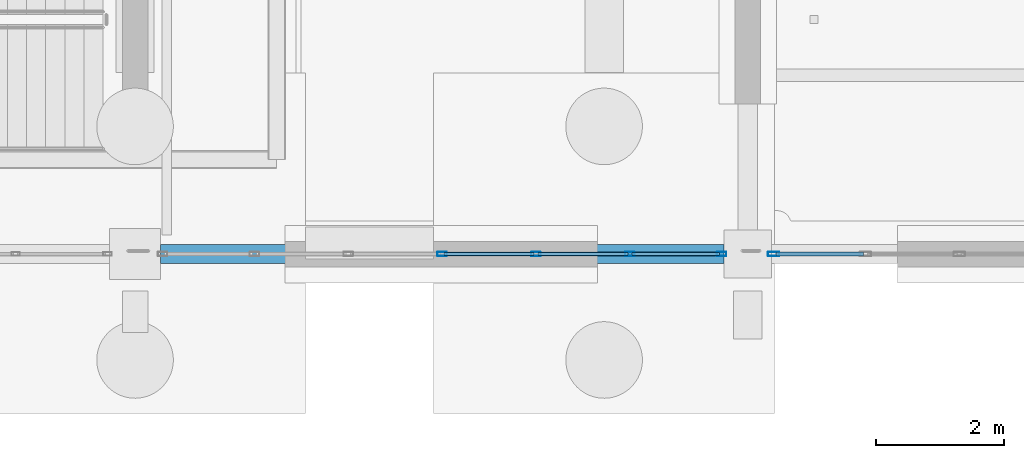
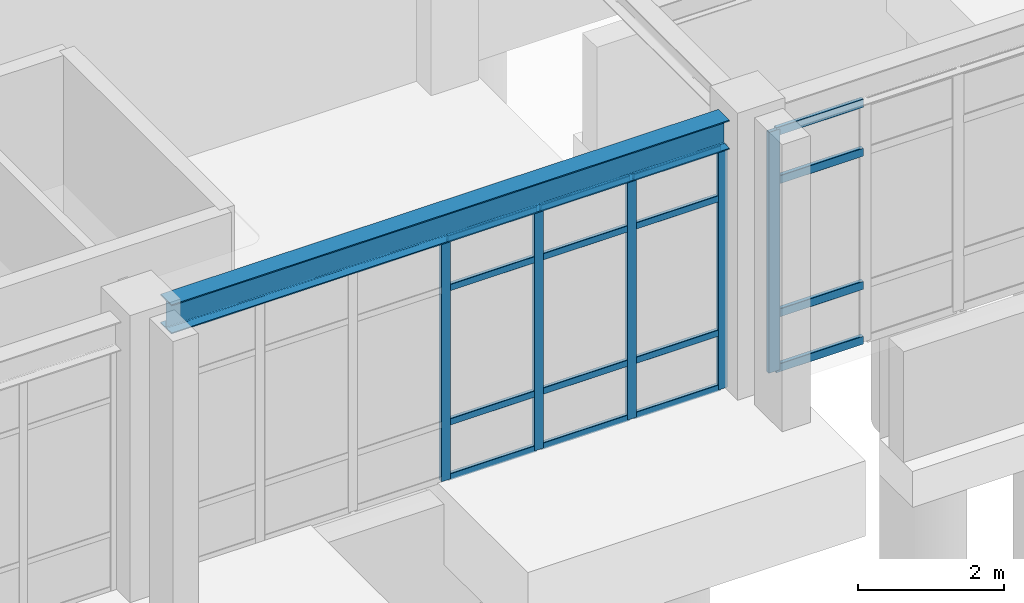
# One storey, part 45 of 111: 21 members, 1 beam, 2 elements without a shape of their own.
"""IFC4 building model written with IfcOpenShell, lengths in metres."""

import ifcopenshell
import ifcopenshell.guid

model = None  # the IFC model being written
_history = None  # IfcOwnerHistory: only IFC2X3 demands one
_inside = {}  # id of a spatial element -> (the spatial element, [elements in it])
_under = {}  # id of a project, library or spatial element -> (it, [spatial elements below it])
_declared = {}  # id of a project -> (the project, [libraries it declares])
_typed = {}  # id of a type object -> (the type object, [elements of that type])
_made_of = {}  # id of a material, layer set ... -> (it, [elements and type objects made of it])


def new_model(schema):
    """Start an empty IFC model of exactly this schema.

    Asked for "IFC4X3", IfcOpenShell would pick the latest addendum, in which some entities
    have other attributes; the version numbers below select the first issue.
    IFC2X3 requires an IfcOwnerHistory on every rooted entity: one is made here for all.
    """
    global model, _history
    if schema == "IFC4X3":
        model = ifcopenshell.file(schema_version=(4, 3, 0, 0))
    else:
        model = ifcopenshell.file(schema=schema)
    _inside.clear()
    _under.clear()
    _declared.clear()
    _typed.clear()
    _made_of.clear()
    _history = None
    if model.schema == "IFC2X3":
        org = make("IfcOrganization", Name="unknown")
        user = make(
            "IfcPersonAndOrganization",
            ThePerson=make("IfcPerson", FamilyName="unknown"),
            TheOrganization=org,
        )
        app = make(
            "IfcApplication",
            ApplicationDeveloper=org,
            Version="unknown",
            ApplicationFullName="unknown",
            ApplicationIdentifier="unknown",
        )
        _history = make(
            "IfcOwnerHistory",
            OwningUser=user,
            OwningApplication=app,
            ChangeAction="ADDED",
            CreationDate=0,
        )
    return model


def make(cls, **values):
    """One entity of the class cls with the attributes given. An attribute that is None is left unset."""
    return model.create_entity(
        cls, **{name: value for name, value in values.items() if value is not None}
    )


def rooted(cls, **values):
    """An entity with a GlobalId (a new one), such as an element, a storey or a relation."""
    return make(cls, GlobalId=ifcopenshell.guid.new(), OwnerHistory=_history, **values)


def si_unit(unit_type, name, prefix=None):
    """IfcSIUnit, for example si_unit("LENGTHUNIT", "METRE", prefix="MILLI")."""
    return make("IfcSIUnit", UnitType=unit_type, Prefix=prefix, Name=name)


def assignment(units):
    """IfcUnitAssignment: the units of a project."""
    return None if units is None else make("IfcUnitAssignment", Units=units)


def point(xyz):
    """IfcCartesianPoint."""
    return None if xyz is None else make("IfcCartesianPoint", Coordinates=xyz)


def direction(xyz):
    """IfcDirection."""
    return None if xyz is None else make("IfcDirection", DirectionRatios=xyz)


def frame(location, z_axis=None, x_axis=None):
    """IfcAxis2Placement3D, a coordinate frame: its origin and axes. An axis left out is left unset."""
    return make(
        "IfcAxis2Placement3D",
        Location=point(location),
        Axis=direction(z_axis),
        RefDirection=direction(x_axis),
    )


def frame_2d(location, x_axis=None):
    """IfcAxis2Placement2D, a coordinate frame in the plane: its origin and x axis."""
    return make(
        "IfcAxis2Placement2D", Location=point(location), RefDirection=direction(x_axis)
    )


def origin():
    """The frame at (0, 0, 0) with its axes left unset."""
    return frame((0.0, 0.0, 0.0))


def origin_2d():
    """The frame at (0, 0) in the plane with its x axis left unset."""
    return frame_2d((0.0, 0.0))


def place(relative_to, where):
    """IfcLocalPlacement: puts the frame where relative to a parent placement (None: the world)."""
    return make(
        "IfcLocalPlacement", PlacementRelTo=relative_to, RelativePlacement=where
    )


def context(
    kind, dimensions, precision=None, world=None, true_north=None, identifier=None
):
    """IfcGeometricRepresentationContext, for example the 3D "Model" context."""
    return make(
        "IfcGeometricRepresentationContext",
        ContextIdentifier=identifier,
        ContextType=kind,
        CoordinateSpaceDimension=dimensions,
        Precision=precision,
        WorldCoordinateSystem=world,
        TrueNorth=true_north,
    )


def subcontext(parent, identifier, kind, view, scale=None):
    """IfcGeometricRepresentationSubContext, for example "Body" below "Model"."""
    return make(
        "IfcGeometricRepresentationSubContext",
        ContextIdentifier=identifier,
        ContextType=kind,
        ParentContext=parent,
        TargetScale=scale,
        TargetView=view,
    )


def project(units=None, contexts=None):
    """IfcProject with its units and contexts."""
    return rooted(
        "IfcProject",
        Name="project",
        RepresentationContexts=contexts,
        UnitsInContext=assignment(units),
    )


def spatial(cls, under=None, at=None, **own):
    """A site, building, storey or space (cls), placed at a placement, below another one or the project."""
    s = rooted(cls, ObjectPlacement=at, **own)
    if under is not None:
        _under.setdefault(under.id(), (under, []))[1].append(s)
    return s


def profile(cls, at=None, kind="AREA", **sizes):
    """A parametric profile (cls). Its sizes go by their IFC names, for example OverallWidth=200.0."""
    return make(cls, ProfileType=kind, Position=at, **sizes)


def hollow_rectangle(**sizes):
    """IfcRectangleHollowProfileDef."""
    return profile("IfcRectangleHollowProfileDef", **sizes)


def i_section(**sizes):
    """IfcIShapeProfileDef."""
    return profile("IfcIShapeProfileDef", **sizes)


def extrude(swept, where, along, depth):
    """IfcExtrudedAreaSolid: the profile swept, set in the frame where, extruded along a direction by depth."""
    return make(
        "IfcExtrudedAreaSolid",
        SweptArea=swept,
        Position=where,
        ExtrudedDirection=direction(along),
        Depth=depth,
    )


def shape(context_of_items, identifier, shape_type, items):
    """IfcShapeRepresentation: the items that make up one representation, for example the "Body"."""
    return make(
        "IfcShapeRepresentation",
        ContextOfItems=context_of_items,
        RepresentationIdentifier=identifier,
        RepresentationType=shape_type,
        Items=items,
    )


def material(Name=None, Category=None):
    """IfcMaterial."""
    return make("IfcMaterial", Name=Name, Category=Category)


def material_profile(
    of_material, cross_section, Name=None, Category=None, Priority=None
):
    """IfcMaterialProfile: a cross section and its material."""
    return make(
        "IfcMaterialProfile",
        Name=Name,
        Material=of_material,
        Profile=cross_section,
        Priority=Priority,
        Category=Category,
    )


def profile_set(profiles, Name=None, composite=None):
    """IfcMaterialProfileSet."""
    return make(
        "IfcMaterialProfileSet",
        Name=Name,
        MaterialProfiles=profiles,
        CompositeProfile=composite,
    )


def made_of(thing, what):
    """Note that an element or type object is made of a material, layer set ...; save() writes the relation."""
    if what is not None:
        _made_of.setdefault(what.id(), (what, []))[1].append(thing)
    return thing


def type_object(cls, material=None, **own):
    """A type object (cls), such as IfcWallType, which elements share."""
    return made_of(rooted(cls, **own), material)


def element(
    cls,
    number,
    at=None,
    inside=None,
    cuts=None,
    type_object=None,
    material=None,
    context=None,
    identifier="Body",
    shape_type=None,
    held_by="IfcProductDefinitionShape",
    body=None,
    shapes=None,
    **own,
):
    """One element of the class cls, such as IfcWall. Its Tag is "e" and its number.

    at: its placement. inside: the storey or other place that contains it. cuts: it is an
    opening in that element (IfcRelVoidsElement). A single representation is given by context,
    identifier, shape_type and body (its items); several are given by shapes. held_by: the class
    of the entity that holds the representations. save() writes the other relations.
    """
    e = rooted(cls, Tag="e%d" % number, ObjectPlacement=at, **own)
    if body is not None:
        shapes = [shape(context, identifier, shape_type, body)]
    if shapes is not None:
        e.Representation = make(held_by, Representations=shapes)
    if inside is not None:
        _inside.setdefault(inside.id(), (inside, []))[1].append(e)
    if cuts is not None:
        rooted(
            "IfcRelVoidsElement", RelatingBuildingElement=cuts, RelatedOpeningElement=e
        )
    if type_object is not None:
        _typed.setdefault(type_object.id(), (type_object, []))[1].append(e)
    return made_of(e, material)


def aggregate(whole, parts):
    """IfcRelAggregates: a whole, such as a stair, and the parts it consists of."""
    return rooted("IfcRelAggregates", RelatingObject=whole, RelatedObjects=parts)


def save(model, path):
    """Write the relations noted so far, then the file.

    IfcRelAggregates (storeys below a building ...), IfcRelContainedInSpatialStructure (elements
    in a storey), IfcRelDefinesByType, IfcRelAssociatesMaterial and IfcRelDeclares: one each for
    every whole, place, type object, material and project.
    """
    for whole, parts in _under.values():
        aggregate(whole, parts)
    for where, things in _inside.values():
        rooted(
            "IfcRelContainedInSpatialStructure",
            RelatedElements=things,
            RelatingStructure=where,
        )
    for kind, things in _typed.values():
        rooted("IfcRelDefinesByType", RelatedObjects=things, RelatingType=kind)
    for what, things in _made_of.values():
        rooted("IfcRelAssociatesMaterial", RelatedObjects=things, RelatingMaterial=what)
    for by, libraries in _declared.values():
        rooted("IfcRelDeclares", RelatingContext=by, RelatedDefinitions=libraries)
    model.write(path)


model = new_model("IFC4")

# Units and contexts
model_context = context("Model", 3, precision=1e-05, world=origin(), true_north=direction((0.0, 1.0)))
body_context = subcontext(model_context, "Body", "Model", "MODEL_VIEW")
ifc_project = project(units=[si_unit("LENGTHUNIT", "METRE"), si_unit("AREAUNIT", "SQUARE_METRE"), si_unit("VOLUMEUNIT", "CUBIC_METRE"), si_unit("PLANEANGLEUNIT", "RADIAN"), si_unit("MASSUNIT", "GRAM", prefix="KILO")], contexts=[model_context])

# Site, building, storey
site_placement = place(None, origin())
site = spatial("IfcSite", under=ifc_project, at=site_placement, CompositionType="ELEMENT")
building_placement = place(site_placement, origin())
building = spatial("IfcBuilding", under=site, at=building_placement, Name="Canglan Escarpment Cableway Terminal", CompositionType="ELEMENT")
storey_placement = place(building_placement, frame((0.0, 0.0, 4.800048828125)))
storey = spatial("IfcBuildingStorey", under=building, at=storey_placement, Name="L01", CompositionType="ELEMENT", Elevation=4.800048828125)

# Beam
ifc_material_1 = material(Name="Steel Q355B", Category="steel")
ifc_material_profile_1 = material_profile(ifc_material_1, i_section(OverallWidth=0.300048828125, OverallDepth=0.488037109375, WebThickness=0.010986328125, FlangeThickness=0.01806640625, FilletRadius=0.02587890625, at=origin_2d()), Name="HM 488x300x11x18")
ifc_profile_set_1 = profile_set([ifc_material_profile_1], Name="Steel Q355B")
beam_type = type_object("IfcBeamType", Name="BM-HM488", PredefinedType="BEAM", material=ifc_profile_set_1)
beam_placement = place(storey_placement, frame((157.199951171875, 8.0, 4.305908203125), z_axis=(1.0, 0.0, 0.0), x_axis=(0.0, 1.0, 0.0)))
element("IfcBeam", 1, at=beam_placement, inside=storey, type_object=beam_type, Name="Primary structural girder B-09", PredefinedType="BEAM", context=body_context, shape_type="SweptSolid", body=[
    extrude(i_section(OverallWidth=0.300048828125, OverallDepth=0.488037109375, WebThickness=0.010986328125, FlangeThickness=0.01806640625, FilletRadius=0.02587890625, at=origin_2d()), origin(), (0.0, 0.0, 1.0), 8.824951171875),
])

# Curtain wall, members
ifc_material_2 = material(Name="Anodized bronze aluminium and Low-E double glazing", Category="aluminium")
curtain_wall_type_1 = type_object("IfcCurtainWallType", Name="CW-BAY-8825x4050", PredefinedType="NOTDEFINED", material=ifc_material_2)
curtain_wall_1_placement = place(storey_placement, origin())
curtain_wall_1 = element("IfcCurtainWall", 2, at=curtain_wall_1_placement, inside=storey, type_object=curtain_wall_type_1, Name="Classical bay-between-piers glazed curtain wall CW-21", PredefinedType="NOTDEFINED")
ifc_material_3 = material(Name="Thermally broken anodized aluminium 6063-T6", Category="aluminium")
ifc_material_profile_2 = material_profile(ifc_material_3, hollow_rectangle(XDim=0.06494140625, YDim=0.14990234375, WallThickness=0.00341796875, InnerFilletRadius=0.00341796875, OuterFilletRadius=0.007080078125, at=origin_2d()), Name="ALU-MULL 65x150x3.5")
ifc_profile_set_2 = profile_set([ifc_material_profile_2], Name="Thermally broken anodized aluminium 6063-T6")
member_type_1 = type_object("IfcMemberType", Name="CWM-02", PredefinedType="MULLION", material=ifc_profile_set_2)
member_1_placement = place(storey_placement, frame((161.612548828125, 8.0, 0.0), z_axis=(0.0, 0.0, 1.0), x_axis=(0.0, 1.0, 0.0)))
member_1 = element("IfcMember", 3, at=member_1_placement, type_object=member_type_1, Name="CW-21 mullion 4", PredefinedType="MULLION", context=body_context, shape_type="SweptSolid", body=[
    extrude(hollow_rectangle(XDim=0.06494140625, YDim=0.14990234375, WallThickness=0.00341796875, InnerFilletRadius=0.00341796875, OuterFilletRadius=0.007080078125, at=origin_2d()), origin(), (0.0, 0.0, 1.0), 4.046875),
])
member_2_placement = place(storey_placement, frame((163.083251953125, 8.0, 0.0), z_axis=(0.0, 0.0, 1.0), x_axis=(0.0, 1.0, 0.0)))
member_2 = element("IfcMember", 4, at=member_2_placement, type_object=member_type_1, Name="CW-21 mullion 5", PredefinedType="MULLION", context=body_context, shape_type="SweptSolid", body=[
    extrude(hollow_rectangle(XDim=0.06494140625, YDim=0.14990234375, WallThickness=0.00341796875, InnerFilletRadius=0.00341796875, OuterFilletRadius=0.007080078125, at=origin_2d()), origin(), (0.0, 0.0, 1.0), 4.046875),
])
member_3_placement = place(storey_placement, frame((164.55419921875, 8.0, 0.0), z_axis=(0.0, 0.0, 1.0), x_axis=(0.0, 1.0, 0.0)))
member_3 = element("IfcMember", 5, at=member_3_placement, type_object=member_type_1, Name="CW-21 mullion 6", PredefinedType="MULLION", context=body_context, shape_type="SweptSolid", body=[
    extrude(hollow_rectangle(XDim=0.06494140625, YDim=0.14990234375, WallThickness=0.00341796875, InnerFilletRadius=0.00341796875, OuterFilletRadius=0.007080078125, at=origin_2d()), origin(), (0.0, 0.0, 1.0), 4.046875),
])
member_4_placement = place(storey_placement, frame((165.992431640625, 8.0, 0.0), z_axis=(0.0, 0.0, 1.0), x_axis=(0.0, 1.0, 0.0)))
member_4 = element("IfcMember", 6, at=member_4_placement, type_object=member_type_1, Name="CW-21 mullion 7", PredefinedType="MULLION", context=body_context, shape_type="SweptSolid", body=[
    extrude(hollow_rectangle(XDim=0.06494140625, YDim=0.14990234375, WallThickness=0.00341796875, InnerFilletRadius=0.00341796875, OuterFilletRadius=0.007080078125, at=origin_2d()), origin(), (0.0, 0.0, 1.0), 4.046875),
])

# Curtain wall, member
curtain_wall_type_2 = type_object("IfcCurtainWallType", Name="CW-BAY-8825x4025", PredefinedType="NOTDEFINED", material=ifc_material_2)
curtain_wall_2_placement = place(storey_placement, origin())
curtain_wall_2 = element("IfcCurtainWall", 7, at=curtain_wall_2_placement, inside=storey, type_object=curtain_wall_type_2, Name="Classical bay-between-piers glazed curtain wall CW-22", PredefinedType="NOTDEFINED")
ifc_material_profile_3 = material_profile(ifc_material_3, hollow_rectangle(XDim=0.06494140625, YDim=0.179931640625, WallThickness=0.00390625, InnerFilletRadius=0.00390625, OuterFilletRadius=0.008056640625, at=origin_2d()), Name="ALU-MULL 65x180x4")
ifc_profile_set_3 = profile_set([ifc_material_profile_3], Name="Thermally broken anodized aluminium 6063-T6")
member_type_2 = type_object("IfcMemberType", Name="CWM-03", PredefinedType="MULLION", material=ifc_profile_set_3)
member_5_placement = place(storey_placement, frame((166.8076171875, 8.0, 0.0), z_axis=(0.0, 0.0, 1.0), x_axis=(0.0, 1.0, 0.0)))
member_5 = element("IfcMember", 8, at=member_5_placement, type_object=member_type_2, Name="CW-22 mullion 1", PredefinedType="MULLION", context=body_context, shape_type="SweptSolid", body=[
    extrude(hollow_rectangle(XDim=0.06494140625, YDim=0.179931640625, WallThickness=0.00390625, InnerFilletRadius=0.00390625, OuterFilletRadius=0.008056640625, at=origin_2d()), origin(), (0.0, 0.0, 1.0), 4.02685546875),
])

# Member
ifc_material_profile_4 = material_profile(ifc_material_3, hollow_rectangle(XDim=0.06005859375, YDim=0.110107421875, WallThickness=0.0029296875, InnerFilletRadius=0.0029296875, OuterFilletRadius=0.006103515625, at=origin_2d()), Name="ALU-TRAN 60x110x3")
ifc_profile_set_4 = profile_set([ifc_material_profile_4], Name="Thermally broken anodized aluminium 6063-T6")
member_type_3 = type_object("IfcMemberType", Name="CWT-02", PredefinedType="USERDEFINED", material=ifc_profile_set_4)
member_6_placement = place(storey_placement, frame((161.64501953125, 8.0, 0.030029296875), z_axis=(1.0, 0.0, 0.0), x_axis=(0.0, 1.0, 0.0)))
member_6 = element("IfcMember", 9, at=member_6_placement, type_object=member_type_3, Name="CW-21 transom 4.1", ObjectType="TRANSOM", PredefinedType="USERDEFINED", context=body_context, shape_type="SweptSolid", body=[
    extrude(hollow_rectangle(XDim=0.06005859375, YDim=0.110107421875, WallThickness=0.0029296875, InnerFilletRadius=0.0029296875, OuterFilletRadius=0.006103515625, at=origin_2d()), origin(), (0.0, 0.0, 1.0), 1.40576171875),
])

member_7_placement = place(storey_placement, frame((161.64501953125, 8.0, 0.949951171875), z_axis=(1.0, 0.0, 0.0), x_axis=(0.0, 1.0, 0.0)))
member_7 = element("IfcMember", 10, at=member_7_placement, type_object=member_type_3, Name="CW-21 transom 4.2", ObjectType="TRANSOM", PredefinedType="USERDEFINED", context=body_context, shape_type="SweptSolid", body=[
    extrude(hollow_rectangle(XDim=0.06005859375, YDim=0.110107421875, WallThickness=0.0029296875, InnerFilletRadius=0.0029296875, OuterFilletRadius=0.006103515625, at=origin_2d()), origin(), (0.0, 0.0, 1.0), 1.40576171875),
])

member_8_placement = place(storey_placement, frame((161.64501953125, 8.0, 3.197021484375), z_axis=(1.0, 0.0, 0.0), x_axis=(0.0, 1.0, 0.0)))
member_8 = element("IfcMember", 11, at=member_8_placement, type_object=member_type_3, Name="CW-21 transom 4.3", ObjectType="TRANSOM", PredefinedType="USERDEFINED", context=body_context, shape_type="SweptSolid", body=[
    extrude(hollow_rectangle(XDim=0.06005859375, YDim=0.110107421875, WallThickness=0.0029296875, InnerFilletRadius=0.0029296875, OuterFilletRadius=0.006103515625, at=origin_2d()), origin(), (0.0, 0.0, 1.0), 1.40576171875),
])

member_9_placement = place(storey_placement, frame((161.64501953125, 8.0, 4.016845703125), z_axis=(1.0, 0.0, 0.0), x_axis=(0.0, 1.0, 0.0)))
member_9 = element("IfcMember", 12, at=member_9_placement, type_object=member_type_3, Name="CW-21 transom 4.4", ObjectType="TRANSOM", PredefinedType="USERDEFINED", context=body_context, shape_type="SweptSolid", body=[
    extrude(hollow_rectangle(XDim=0.06005859375, YDim=0.110107421875, WallThickness=0.0029296875, InnerFilletRadius=0.0029296875, OuterFilletRadius=0.006103515625, at=origin_2d()), origin(), (0.0, 0.0, 1.0), 1.40576171875),
])

member_10_placement = place(storey_placement, frame((163.11572265625, 8.0, 0.030029296875), z_axis=(1.0, 0.0, 0.0), x_axis=(0.0, 1.0, 0.0)))
member_10 = element("IfcMember", 13, at=member_10_placement, type_object=member_type_3, Name="CW-21 transom 5.1", ObjectType="TRANSOM", PredefinedType="USERDEFINED", context=body_context, shape_type="SweptSolid", body=[
    extrude(hollow_rectangle(XDim=0.06005859375, YDim=0.110107421875, WallThickness=0.0029296875, InnerFilletRadius=0.0029296875, OuterFilletRadius=0.006103515625, at=origin_2d()), origin(), (0.0, 0.0, 1.0), 1.406005859375),
])

member_11_placement = place(storey_placement, frame((163.11572265625, 8.0, 0.949951171875), z_axis=(1.0, 0.0, 0.0), x_axis=(0.0, 1.0, 0.0)))
member_11 = element("IfcMember", 14, at=member_11_placement, type_object=member_type_3, Name="CW-21 transom 5.2", ObjectType="TRANSOM", PredefinedType="USERDEFINED", context=body_context, shape_type="SweptSolid", body=[
    extrude(hollow_rectangle(XDim=0.06005859375, YDim=0.110107421875, WallThickness=0.0029296875, InnerFilletRadius=0.0029296875, OuterFilletRadius=0.006103515625, at=origin_2d()), origin(), (0.0, 0.0, 1.0), 1.406005859375),
])

member_12_placement = place(storey_placement, frame((163.11572265625, 8.0, 3.197021484375), z_axis=(1.0, 0.0, 0.0), x_axis=(0.0, 1.0, 0.0)))
member_12 = element("IfcMember", 15, at=member_12_placement, type_object=member_type_3, Name="CW-21 transom 5.3", ObjectType="TRANSOM", PredefinedType="USERDEFINED", context=body_context, shape_type="SweptSolid", body=[
    extrude(hollow_rectangle(XDim=0.06005859375, YDim=0.110107421875, WallThickness=0.0029296875, InnerFilletRadius=0.0029296875, OuterFilletRadius=0.006103515625, at=origin_2d()), origin(), (0.0, 0.0, 1.0), 1.406005859375),
])

member_13_placement = place(storey_placement, frame((163.11572265625, 8.0, 4.016845703125), z_axis=(1.0, 0.0, 0.0), x_axis=(0.0, 1.0, 0.0)))
member_13 = element("IfcMember", 16, at=member_13_placement, type_object=member_type_3, Name="CW-21 transom 5.4", ObjectType="TRANSOM", PredefinedType="USERDEFINED", context=body_context, shape_type="SweptSolid", body=[
    extrude(hollow_rectangle(XDim=0.06005859375, YDim=0.110107421875, WallThickness=0.0029296875, InnerFilletRadius=0.0029296875, OuterFilletRadius=0.006103515625, at=origin_2d()), origin(), (0.0, 0.0, 1.0), 1.406005859375),
])

member_14_placement = place(storey_placement, frame((164.586669921875, 8.0, 0.030029296875), z_axis=(1.0, 0.0, 0.0), x_axis=(0.0, 1.0, 0.0)))
member_14 = element("IfcMember", 17, at=member_14_placement, type_object=member_type_3, Name="CW-21 transom 6.1", ObjectType="TRANSOM", PredefinedType="USERDEFINED", context=body_context, shape_type="SweptSolid", body=[
    extrude(hollow_rectangle(XDim=0.06005859375, YDim=0.110107421875, WallThickness=0.0029296875, InnerFilletRadius=0.0029296875, OuterFilletRadius=0.006103515625, at=origin_2d()), origin(), (0.0, 0.0, 1.0), 1.373291015625),
])

member_15_placement = place(storey_placement, frame((164.586669921875, 8.0, 0.949951171875), z_axis=(1.0, 0.0, 0.0), x_axis=(0.0, 1.0, 0.0)))
member_15 = element("IfcMember", 18, at=member_15_placement, type_object=member_type_3, Name="CW-21 transom 6.2", ObjectType="TRANSOM", PredefinedType="USERDEFINED", context=body_context, shape_type="SweptSolid", body=[
    extrude(hollow_rectangle(XDim=0.06005859375, YDim=0.110107421875, WallThickness=0.0029296875, InnerFilletRadius=0.0029296875, OuterFilletRadius=0.006103515625, at=origin_2d()), origin(), (0.0, 0.0, 1.0), 1.373291015625),
])

member_16_placement = place(storey_placement, frame((164.586669921875, 8.0, 3.197021484375), z_axis=(1.0, 0.0, 0.0), x_axis=(0.0, 1.0, 0.0)))
member_16 = element("IfcMember", 19, at=member_16_placement, type_object=member_type_3, Name="CW-21 transom 6.3", ObjectType="TRANSOM", PredefinedType="USERDEFINED", context=body_context, shape_type="SweptSolid", body=[
    extrude(hollow_rectangle(XDim=0.06005859375, YDim=0.110107421875, WallThickness=0.0029296875, InnerFilletRadius=0.0029296875, OuterFilletRadius=0.006103515625, at=origin_2d()), origin(), (0.0, 0.0, 1.0), 1.373291015625),
])

member_17_placement = place(storey_placement, frame((164.586669921875, 8.0, 4.016845703125), z_axis=(1.0, 0.0, 0.0), x_axis=(0.0, 1.0, 0.0)))
member_17 = element("IfcMember", 20, at=member_17_placement, type_object=member_type_3, Name="CW-21 transom 6.4", ObjectType="TRANSOM", PredefinedType="USERDEFINED", context=body_context, shape_type="SweptSolid", body=[
    extrude(hollow_rectangle(XDim=0.06005859375, YDim=0.110107421875, WallThickness=0.0029296875, InnerFilletRadius=0.0029296875, OuterFilletRadius=0.006103515625, at=origin_2d()), origin(), (0.0, 0.0, 1.0), 1.373291015625),
])

aggregate(curtain_wall_1, [member_1, member_2, member_3, member_4, member_6, member_7, member_8, member_9, member_10, member_11, member_12, member_13, member_14, member_15, member_16, member_17])

ifc_material_profile_5 = material_profile(ifc_material_3, hollow_rectangle(XDim=0.06494140625, YDim=0.139892578125, WallThickness=0.00341796875, InnerFilletRadius=0.00341796875, OuterFilletRadius=0.007080078125, at=origin_2d()), Name="ALU-TRAN 65x140x3.5")
ifc_profile_set_5 = profile_set([ifc_material_profile_5], Name="Thermally broken anodized aluminium 6063-T6")
member_type_4 = type_object("IfcMemberType", Name="CWT-03", PredefinedType="USERDEFINED", material=ifc_profile_set_5)
member_18_placement = place(storey_placement, frame((166.840087890625, 8.0, 0.032470703125), z_axis=(1.0, 0.0, 0.0), x_axis=(0.0, 1.0, 0.0)))
member_18 = element("IfcMember", 21, at=member_18_placement, type_object=member_type_4, Name="CW-22 transom 1.1", ObjectType="TRANSOM", PredefinedType="USERDEFINED", context=body_context, shape_type="SweptSolid", body=[
    extrude(hollow_rectangle(XDim=0.06494140625, YDim=0.139892578125, WallThickness=0.00341796875, InnerFilletRadius=0.00341796875, OuterFilletRadius=0.007080078125, at=origin_2d()), origin(), (0.0, 0.0, 1.0), 1.373291015625),
])

member_19_placement = place(storey_placement, frame((166.840087890625, 8.0, 0.949951171875), z_axis=(1.0, 0.0, 0.0), x_axis=(0.0, 1.0, 0.0)))
member_19 = element("IfcMember", 22, at=member_19_placement, type_object=member_type_4, Name="CW-22 transom 1.2", ObjectType="TRANSOM", PredefinedType="USERDEFINED", context=body_context, shape_type="SweptSolid", body=[
    extrude(hollow_rectangle(XDim=0.06494140625, YDim=0.139892578125, WallThickness=0.00341796875, InnerFilletRadius=0.00341796875, OuterFilletRadius=0.007080078125, at=origin_2d()), origin(), (0.0, 0.0, 1.0), 1.373291015625),
])

member_20_placement = place(storey_placement, frame((166.840087890625, 8.0, 3.177001953125), z_axis=(1.0, 0.0, 0.0), x_axis=(0.0, 1.0, 0.0)))
member_20 = element("IfcMember", 23, at=member_20_placement, type_object=member_type_4, Name="CW-22 transom 1.3", ObjectType="TRANSOM", PredefinedType="USERDEFINED", context=body_context, shape_type="SweptSolid", body=[
    extrude(hollow_rectangle(XDim=0.06494140625, YDim=0.139892578125, WallThickness=0.00341796875, InnerFilletRadius=0.00341796875, OuterFilletRadius=0.007080078125, at=origin_2d()), origin(), (0.0, 0.0, 1.0), 1.373291015625),
])

member_21_placement = place(storey_placement, frame((166.840087890625, 8.0, 3.994384765625), z_axis=(1.0, 0.0, 0.0), x_axis=(0.0, 1.0, 0.0)))
member_21 = element("IfcMember", 24, at=member_21_placement, type_object=member_type_4, Name="CW-22 transom 1.4", ObjectType="TRANSOM", PredefinedType="USERDEFINED", context=body_context, shape_type="SweptSolid", body=[
    extrude(hollow_rectangle(XDim=0.06494140625, YDim=0.139892578125, WallThickness=0.00341796875, InnerFilletRadius=0.00341796875, OuterFilletRadius=0.007080078125, at=origin_2d()), origin(), (0.0, 0.0, 1.0), 1.373291015625),
])

aggregate(curtain_wall_2, [member_5, member_18, member_19, member_20, member_21])

save(model, "model.ifc")
